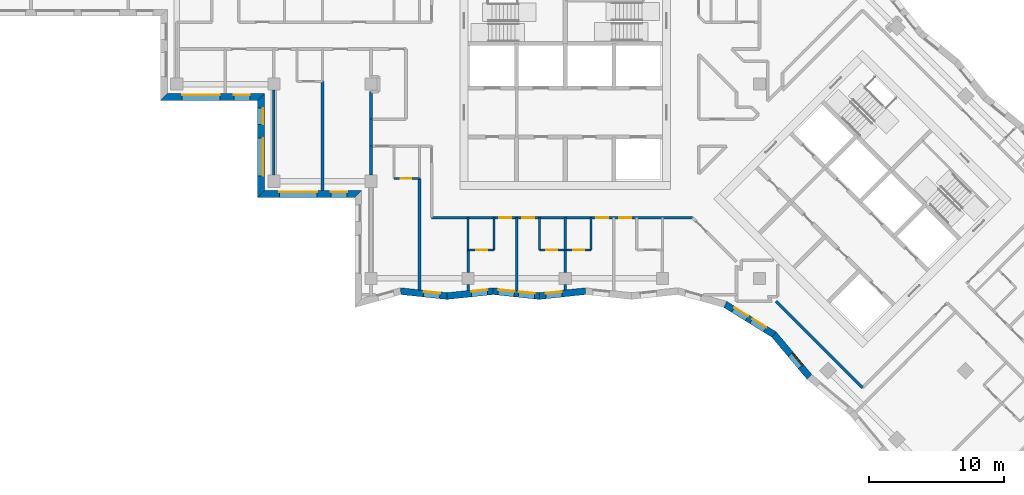
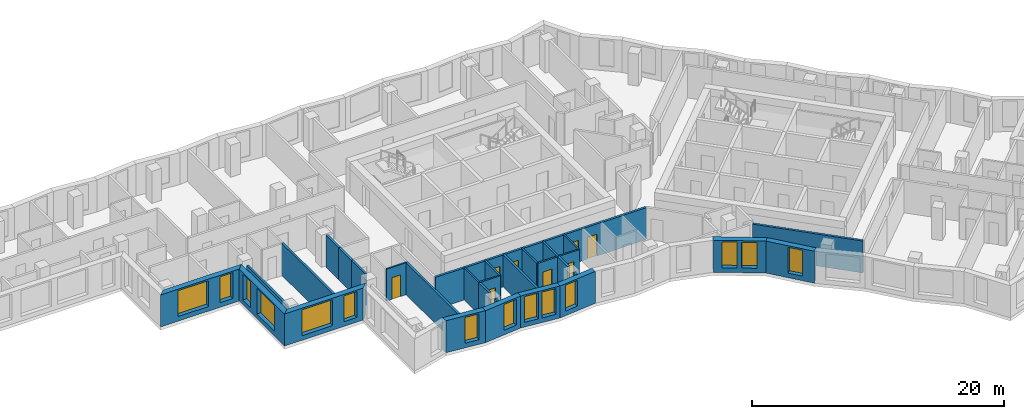
# One storey, part 2 of 12: 30 walls, 14 windows, 8 doors, 22 openings.
"""IFC4 building model written with IfcOpenShell, lengths in metres."""

import ifcopenshell
import ifcopenshell.guid

model = None  # the IFC model being written
_history = None  # IfcOwnerHistory: only IFC2X3 demands one
_inside = {}  # id of a spatial element -> (the spatial element, [elements in it])
_under = {}  # id of a project, library or spatial element -> (it, [spatial elements below it])
_declared = {}  # id of a project -> (the project, [libraries it declares])
_typed = {}  # id of a type object -> (the type object, [elements of that type])
_made_of = {}  # id of a material, layer set ... -> (it, [elements and type objects made of it])


def new_model(schema):
    """Start an empty IFC model of exactly this schema.

    Asked for "IFC4X3", IfcOpenShell would pick the latest addendum, in which some entities
    have other attributes; the version numbers below select the first issue.
    IFC2X3 requires an IfcOwnerHistory on every rooted entity: one is made here for all.
    """
    global model, _history
    if schema == "IFC4X3":
        model = ifcopenshell.file(schema_version=(4, 3, 0, 0))
    else:
        model = ifcopenshell.file(schema=schema)
    _inside.clear()
    _under.clear()
    _declared.clear()
    _typed.clear()
    _made_of.clear()
    _history = None
    if model.schema == "IFC2X3":
        org = make("IfcOrganization", Name="unknown")
        user = make(
            "IfcPersonAndOrganization",
            ThePerson=make("IfcPerson", FamilyName="unknown"),
            TheOrganization=org,
        )
        app = make(
            "IfcApplication",
            ApplicationDeveloper=org,
            Version="unknown",
            ApplicationFullName="unknown",
            ApplicationIdentifier="unknown",
        )
        _history = make(
            "IfcOwnerHistory",
            OwningUser=user,
            OwningApplication=app,
            ChangeAction="ADDED",
            CreationDate=0,
        )
    return model


def make(cls, **values):
    """One entity of the class cls with the attributes given. An attribute that is None is left unset."""
    return model.create_entity(
        cls, **{name: value for name, value in values.items() if value is not None}
    )


def rooted(cls, **values):
    """An entity with a GlobalId (a new one), such as an element, a storey or a relation."""
    return make(cls, GlobalId=ifcopenshell.guid.new(), OwnerHistory=_history, **values)


def si_unit(unit_type, name, prefix=None):
    """IfcSIUnit, for example si_unit("LENGTHUNIT", "METRE", prefix="MILLI")."""
    return make("IfcSIUnit", UnitType=unit_type, Prefix=prefix, Name=name)


def assignment(units):
    """IfcUnitAssignment: the units of a project."""
    return None if units is None else make("IfcUnitAssignment", Units=units)


def point(xyz):
    """IfcCartesianPoint."""
    return None if xyz is None else make("IfcCartesianPoint", Coordinates=xyz)


def direction(xyz):
    """IfcDirection."""
    return None if xyz is None else make("IfcDirection", DirectionRatios=xyz)


def frame(location, z_axis=None, x_axis=None):
    """IfcAxis2Placement3D, a coordinate frame: its origin and axes. An axis left out is left unset."""
    return make(
        "IfcAxis2Placement3D",
        Location=point(location),
        Axis=direction(z_axis),
        RefDirection=direction(x_axis),
    )


def frame_2d(location, x_axis=None):
    """IfcAxis2Placement2D, a coordinate frame in the plane: its origin and x axis."""
    return make(
        "IfcAxis2Placement2D", Location=point(location), RefDirection=direction(x_axis)
    )


def origin():
    """The frame at (0, 0, 0) with its axes left unset."""
    return frame((0.0, 0.0, 0.0))


def place(relative_to, where):
    """IfcLocalPlacement: puts the frame where relative to a parent placement (None: the world)."""
    return make(
        "IfcLocalPlacement", PlacementRelTo=relative_to, RelativePlacement=where
    )


def context(
    kind, dimensions, precision=None, world=None, true_north=None, identifier=None
):
    """IfcGeometricRepresentationContext, for example the 3D "Model" context."""
    return make(
        "IfcGeometricRepresentationContext",
        ContextIdentifier=identifier,
        ContextType=kind,
        CoordinateSpaceDimension=dimensions,
        Precision=precision,
        WorldCoordinateSystem=world,
        TrueNorth=true_north,
    )


def subcontext(parent, identifier, kind, view, scale=None):
    """IfcGeometricRepresentationSubContext, for example "Body" below "Model"."""
    return make(
        "IfcGeometricRepresentationSubContext",
        ContextIdentifier=identifier,
        ContextType=kind,
        ParentContext=parent,
        TargetScale=scale,
        TargetView=view,
    )


def project(units=None, contexts=None):
    """IfcProject with its units and contexts."""
    return rooted(
        "IfcProject",
        Name="project",
        RepresentationContexts=contexts,
        UnitsInContext=assignment(units),
    )


def spatial(cls, under=None, at=None, **own):
    """A site, building, storey or space (cls), placed at a placement, below another one or the project."""
    s = rooted(cls, ObjectPlacement=at, **own)
    if under is not None:
        _under.setdefault(under.id(), (under, []))[1].append(s)
    return s


def polyline(points):
    """IfcPolyline through the points."""
    return make("IfcPolyline", Points=[point(p) for p in points])


def profile(cls, at=None, kind="AREA", **sizes):
    """A parametric profile (cls). Its sizes go by their IFC names, for example OverallWidth=200.0."""
    return make(cls, ProfileType=kind, Position=at, **sizes)


def rectangle(**sizes):
    """IfcRectangleProfileDef."""
    return profile("IfcRectangleProfileDef", **sizes)


def outline(outer, holes=None, kind="AREA"):
    """IfcArbitraryClosedProfileDef: a profile drawn as a closed curve; with holes, ...WithVoids."""
    if holes is None:
        return make("IfcArbitraryClosedProfileDef", ProfileType=kind, OuterCurve=outer)
    return make(
        "IfcArbitraryProfileDefWithVoids",
        ProfileType=kind,
        OuterCurve=outer,
        InnerCurves=holes,
    )


def extrude(swept, where, along, depth):
    """IfcExtrudedAreaSolid: the profile swept, set in the frame where, extruded along a direction by depth."""
    return make(
        "IfcExtrudedAreaSolid",
        SweptArea=swept,
        Position=where,
        ExtrudedDirection=direction(along),
        Depth=depth,
    )


def shape(context_of_items, identifier, shape_type, items):
    """IfcShapeRepresentation: the items that make up one representation, for example the "Body"."""
    return make(
        "IfcShapeRepresentation",
        ContextOfItems=context_of_items,
        RepresentationIdentifier=identifier,
        RepresentationType=shape_type,
        Items=items,
    )


def material(Name=None, Category=None):
    """IfcMaterial."""
    return make("IfcMaterial", Name=Name, Category=Category)


def layer(
    of_material, thickness, ventilated=None, Name=None, Category=None, Priority=None
):
    """IfcMaterialLayer: one layer of a wall or slab, of a material (None: an air gap)."""
    return make(
        "IfcMaterialLayer",
        Material=of_material,
        LayerThickness=thickness,
        IsVentilated=ventilated,
        Name=Name,
        Category=Category,
        Priority=Priority,
    )


def layer_set(layers, Name=None):
    """IfcMaterialLayerSet."""
    return make("IfcMaterialLayerSet", MaterialLayers=layers, LayerSetName=Name)


def made_of(thing, what):
    """Note that an element or type object is made of a material, layer set ...; save() writes the relation."""
    if what is not None:
        _made_of.setdefault(what.id(), (what, []))[1].append(thing)
    return thing


def type_object(cls, material=None, **own):
    """A type object (cls), such as IfcWallType, which elements share."""
    return made_of(rooted(cls, **own), material)


def element(
    cls,
    number,
    at=None,
    inside=None,
    cuts=None,
    type_object=None,
    material=None,
    context=None,
    identifier="Body",
    shape_type=None,
    held_by="IfcProductDefinitionShape",
    body=None,
    shapes=None,
    **own,
):
    """One element of the class cls, such as IfcWall. Its Tag is "e" and its number.

    at: its placement. inside: the storey or other place that contains it. cuts: it is an
    opening in that element (IfcRelVoidsElement). A single representation is given by context,
    identifier, shape_type and body (its items); several are given by shapes. held_by: the class
    of the entity that holds the representations. save() writes the other relations.
    """
    e = rooted(cls, Tag="e%d" % number, ObjectPlacement=at, **own)
    if body is not None:
        shapes = [shape(context, identifier, shape_type, body)]
    if shapes is not None:
        e.Representation = make(held_by, Representations=shapes)
    if inside is not None:
        _inside.setdefault(inside.id(), (inside, []))[1].append(e)
    if cuts is not None:
        rooted(
            "IfcRelVoidsElement", RelatingBuildingElement=cuts, RelatedOpeningElement=e
        )
    if type_object is not None:
        _typed.setdefault(type_object.id(), (type_object, []))[1].append(e)
    return made_of(e, material)


def fill(opening, filler):
    """IfcRelFillsElement: the door or window that sits in an opening."""
    return rooted(
        "IfcRelFillsElement",
        RelatingOpeningElement=opening,
        RelatedBuildingElement=filler,
    )


def aggregate(whole, parts):
    """IfcRelAggregates: a whole, such as a stair, and the parts it consists of."""
    return rooted("IfcRelAggregates", RelatingObject=whole, RelatedObjects=parts)


def save(model, path):
    """Write the relations noted so far, then the file.

    IfcRelAggregates (storeys below a building ...), IfcRelContainedInSpatialStructure (elements
    in a storey), IfcRelDefinesByType, IfcRelAssociatesMaterial and IfcRelDeclares: one each for
    every whole, place, type object, material and project.
    """
    for whole, parts in _under.values():
        aggregate(whole, parts)
    for where, things in _inside.values():
        rooted(
            "IfcRelContainedInSpatialStructure",
            RelatedElements=things,
            RelatingStructure=where,
        )
    for kind, things in _typed.values():
        rooted("IfcRelDefinesByType", RelatedObjects=things, RelatingType=kind)
    for what, things in _made_of.values():
        rooted("IfcRelAssociatesMaterial", RelatedObjects=things, RelatingMaterial=what)
    for by, libraries in _declared.values():
        rooted("IfcRelDeclares", RelatingContext=by, RelatedDefinitions=libraries)
    model.write(path)


model = new_model("IFC4")

# Units and contexts
model_context = context("Model", 3, precision=1e-05, world=origin(), true_north=direction((0.0, 1.0)))
body_context = subcontext(model_context, "Body", "Model", "MODEL_VIEW")
ifc_project = project(units=[si_unit("LENGTHUNIT", "METRE"), si_unit("AREAUNIT", "SQUARE_METRE"), si_unit("VOLUMEUNIT", "CUBIC_METRE"), si_unit("PLANEANGLEUNIT", "RADIAN"), si_unit("MASSUNIT", "GRAM", prefix="KILO")], contexts=[model_context])

# Site, building, storey
site_placement = place(None, origin())
site = spatial("IfcSite", under=ifc_project, at=site_placement, CompositionType="ELEMENT")
building_placement = place(site_placement, origin())
building = spatial("IfcBuilding", under=site, at=building_placement, Name="Windrow Commons", CompositionType="ELEMENT")
storey_placement = place(building_placement, frame((0.0, 0.0, 142.2)))
storey = spatial("IfcBuildingStorey", under=building, at=storey_placement, Name="L38", CompositionType="ELEMENT", Elevation=142.2)

# Wall, openings, windows
ifc_material_1 = material(Name="Brick masonry, red clay brick", Category="masonry")
ifc_layer_1 = layer(ifc_material_1, 0.5)
ifc_layer_set_1 = layer_set([ifc_layer_1], Name="Brick facade wall 500")
wall_type_1 = type_object("IfcWallType", Name="Brick facade wall 500", PredefinedType="SOLIDWALL", material=ifc_layer_set_1)
wall_1_placement = place(storey_placement, frame((35.05, 56.65, 0.0), z_axis=(0.0, 0.0, 1.0), x_axis=(1.0, 0.0, 0.0)))
wall_1 = element("IfcWall", 1, at=wall_1_placement, inside=storey, type_object=wall_type_1, Name="Brick facade wall L38 38", PredefinedType="SOLIDWALL", context=body_context, shape_type="SweptSolid", body=[
    extrude(outline(polyline([(-0.25, -0.25), (6.95, -0.25), (7.45, 0.25), (0.25, 0.25), (-0.25, -0.25)])), origin(), (0.0, 0.0, 1.0), 3.1),
])
opening_1_placement = place(wall_1_placement, frame((1.35, 0.0, 0.45)))
opening_1 = element("IfcOpeningElement", 2, at=opening_1_placement, cuts=wall_1, Name="Opening W1U", PredefinedType="OPENING", context=body_context, shape_type="SweptSolid", body=[
    extrude(rectangle(XDim=2.8, YDim=2.5, at=frame_2d((1.4, 1.25))), frame((0.0, 0.26, 0.0), z_axis=(0.0, -1.0, 0.0), x_axis=(1.0, 0.0, 0.0)), (0.0, 0.0, 1.0), 0.52),
])
opening_2_placement = place(wall_1_placement, frame((5.175, 0.0, 0.45)))
opening_2 = element("IfcOpeningElement", 3, at=opening_2_placement, cuts=wall_1, Name="Opening W7E", PredefinedType="OPENING", context=body_context, shape_type="SweptSolid", body=[
    extrude(rectangle(XDim=1.2, YDim=2.5, at=frame_2d((0.6, 1.25))), frame((0.0, 0.26, 0.0), z_axis=(0.0, -1.0, 0.0), x_axis=(1.0, 0.0, 0.0)), (0.0, 0.0, 1.0), 0.52),
])
ifc_material_2 = material(Name="Clear float glass in anodised aluminium frame", Category="aluminium")
window_type_1 = type_object("IfcWindowType", Name="Window W1U bedroom 2800x2500", PartitioningType="SINGLE_PANEL", PredefinedType="WINDOW", material=ifc_material_2)
window_1_placement = place(opening_1_placement, origin())
window_1 = element("IfcWindow", 4, at=window_1_placement, inside=storey, type_object=window_type_1, Name="Window L38 38.1", OverallHeight=2.5, OverallWidth=2.8, PartitioningType="SINGLE_PANEL", PredefinedType="WINDOW", context=body_context, shape_type="SweptSolid", body=[
    extrude(rectangle(XDim=2.8, YDim=2.5, at=frame_2d((1.4, 1.25))), frame((0.0, 0.18, 0.0), z_axis=(0.0, -1.0, 0.0), x_axis=(1.0, 0.0, 0.0)), (0.0, 0.0, 1.0), 0.06),
])
fill(opening_1, window_1)
ifc_material_3 = material(Name="Clear float glass in anodised aluminium frame", Category="aluminium")
window_type_2 = type_object("IfcWindowType", Name="Window W7 notch 1200x2500", PartitioningType="SINGLE_PANEL", PredefinedType="WINDOW", material=ifc_material_3)
window_2_placement = place(opening_2_placement, origin())
window_2 = element("IfcWindow", 5, at=window_2_placement, inside=storey, type_object=window_type_2, Name="Window L38 38.2", OverallHeight=2.5, OverallWidth=1.2, PartitioningType="SINGLE_PANEL", PredefinedType="WINDOW", context=body_context, shape_type="SweptSolid", body=[
    extrude(rectangle(XDim=1.2, YDim=2.5, at=frame_2d((0.6, 1.25))), frame((0.0, 0.18, 0.0), z_axis=(0.0, -1.0, 0.0), x_axis=(1.0, 0.0, 0.0)), (0.0, 0.0, 1.0), 0.06),
])
fill(opening_2, window_2)

wall_2_placement = place(storey_placement, frame((42.25, 56.65, 0.0), z_axis=(0.0, 0.0, 1.0), x_axis=(0.0, -1.0, 0.0)))
wall_2 = element("IfcWall", 6, at=wall_2_placement, inside=storey, type_object=wall_type_1, Name="Brick facade wall L38 39", PredefinedType="SOLIDWALL", context=body_context, shape_type="SweptSolid", body=[
    extrude(outline(polyline([(0.25, -0.25), (7.45, -0.25), (6.95, 0.25), (-0.25, 0.25), (0.25, -0.25)])), origin(), (0.0, 0.0, 1.0), 3.1),
])
opening_3_placement = place(wall_2_placement, frame((3.05, 0.0, 0.45)))
opening_3 = element("IfcOpeningElement", 7, at=opening_3_placement, cuts=wall_2, Name="Opening W1U", PredefinedType="OPENING", context=body_context, shape_type="SweptSolid", body=[
    extrude(rectangle(XDim=2.8, YDim=2.5, at=frame_2d((1.4, 1.25))), frame((0.0, 0.26, 0.0), z_axis=(0.0, -1.0, 0.0), x_axis=(1.0, 0.0, 0.0)), (0.0, 0.0, 1.0), 0.52),
])
opening_4_placement = place(wall_2_placement, frame((0.825, 0.0, 0.45)))
opening_4 = element("IfcOpeningElement", 8, at=opening_4_placement, cuts=wall_2, Name="Opening W7E", PredefinedType="OPENING", context=body_context, shape_type="SweptSolid", body=[
    extrude(rectangle(XDim=1.2, YDim=2.5, at=frame_2d((0.6, 1.25))), frame((0.0, 0.26, 0.0), z_axis=(0.0, -1.0, 0.0), x_axis=(1.0, 0.0, 0.0)), (0.0, 0.0, 1.0), 0.52),
])
window_3_placement = place(opening_3_placement, origin())
window_3 = element("IfcWindow", 9, at=window_3_placement, inside=storey, type_object=window_type_1, Name="Window L38 39.1", OverallHeight=2.5, OverallWidth=2.8, PartitioningType="SINGLE_PANEL", PredefinedType="WINDOW", context=body_context, shape_type="SweptSolid", body=[
    extrude(rectangle(XDim=2.8, YDim=2.5, at=frame_2d((1.4, 1.25))), frame((0.0, 0.18, 0.0), z_axis=(0.0, -1.0, 0.0), x_axis=(1.0, 0.0, 0.0)), (0.0, 0.0, 1.0), 0.06),
])
fill(opening_3, window_3)
window_4_placement = place(opening_4_placement, origin())
window_4 = element("IfcWindow", 10, at=window_4_placement, inside=storey, type_object=window_type_2, Name="Window L38 39.2", OverallHeight=2.5, OverallWidth=1.2, PartitioningType="SINGLE_PANEL", PredefinedType="WINDOW", context=body_context, shape_type="SweptSolid", body=[
    extrude(rectangle(XDim=1.2, YDim=2.5, at=frame_2d((0.6, 1.25))), frame((0.0, 0.18, 0.0), z_axis=(0.0, -1.0, 0.0), x_axis=(1.0, 0.0, 0.0)), (0.0, 0.0, 1.0), 0.06),
])
fill(opening_4, window_4)

wall_3_placement = place(storey_placement, frame((42.25, 49.45, 0.0), z_axis=(0.0, 0.0, 1.0), x_axis=(1.0, 0.0, 0.0)))
wall_3 = element("IfcWall", 11, at=wall_3_placement, inside=storey, type_object=wall_type_1, Name="Brick facade wall L38 40", PredefinedType="SOLIDWALL", context=body_context, shape_type="SweptSolid", body=[
    extrude(outline(polyline([(-0.25, -0.25), (6.95, -0.25), (7.45, 0.25), (0.25, 0.25), (-0.25, -0.25)])), origin(), (0.0, 0.0, 1.0), 3.1),
])
opening_5_placement = place(wall_3_placement, frame((1.35, 0.0, 0.45)))
opening_5 = element("IfcOpeningElement", 12, at=opening_5_placement, cuts=wall_3, Name="Opening W1U", PredefinedType="OPENING", context=body_context, shape_type="SweptSolid", body=[
    extrude(rectangle(XDim=2.8, YDim=2.5, at=frame_2d((1.4, 1.25))), frame((0.0, 0.26, 0.0), z_axis=(0.0, -1.0, 0.0), x_axis=(1.0, 0.0, 0.0)), (0.0, 0.0, 1.0), 0.52),
])
opening_6_placement = place(wall_3_placement, frame((5.175, 0.0, 0.45)))
opening_6 = element("IfcOpeningElement", 13, at=opening_6_placement, cuts=wall_3, Name="Opening W7E", PredefinedType="OPENING", context=body_context, shape_type="SweptSolid", body=[
    extrude(rectangle(XDim=1.2, YDim=2.5, at=frame_2d((0.6, 1.25))), frame((0.0, 0.26, 0.0), z_axis=(0.0, -1.0, 0.0), x_axis=(1.0, 0.0, 0.0)), (0.0, 0.0, 1.0), 0.52),
])
window_5_placement = place(opening_5_placement, origin())
window_5 = element("IfcWindow", 14, at=window_5_placement, inside=storey, type_object=window_type_1, Name="Window L38 40.1", OverallHeight=2.5, OverallWidth=2.8, PartitioningType="SINGLE_PANEL", PredefinedType="WINDOW", context=body_context, shape_type="SweptSolid", body=[
    extrude(rectangle(XDim=2.8, YDim=2.5, at=frame_2d((1.4, 1.25))), frame((0.0, 0.18, 0.0), z_axis=(0.0, -1.0, 0.0), x_axis=(1.0, 0.0, 0.0)), (0.0, 0.0, 1.0), 0.06),
])
fill(opening_5, window_5)
window_6_placement = place(opening_6_placement, origin())
window_6 = element("IfcWindow", 15, at=window_6_placement, inside=storey, type_object=window_type_2, Name="Window L38 40.2", OverallHeight=2.5, OverallWidth=1.2, PartitioningType="SINGLE_PANEL", PredefinedType="WINDOW", context=body_context, shape_type="SweptSolid", body=[
    extrude(rectangle(XDim=1.2, YDim=2.5, at=frame_2d((0.6, 1.25))), frame((0.0, 0.18, 0.0), z_axis=(0.0, -1.0, 0.0), x_axis=(1.0, 0.0, 0.0)), (0.0, 0.0, 1.0), 0.06),
])
fill(opening_6, window_6)

# Wall, opening, window
wall_4_placement = place(storey_placement, frame((52.5983, 42.2537, 0.0), z_axis=(0.0, 0.0, 1.0), x_axis=(0.9944732608, -0.1049901591, 0.0)))
wall_4 = element("IfcWall", 16, at=wall_4_placement, inside=storey, type_object=wall_type_1, Name="Brick facade wall L38 43", PredefinedType="SOLIDWALL", context=body_context, shape_type="SweptSolid", body=[
    extrude(outline(polyline([(0.048, -0.25), (3.4867, -0.25), (3.4339, 0.25), (-0.048, 0.25), (0.048, -0.25)])), origin(), (0.0, 0.0, 1.0), 3.1),
])
opening_7_placement = place(wall_4_placement, frame((1.7217, 0.0, 0.45)))
opening_7 = element("IfcOpeningElement", 17, at=opening_7_placement, cuts=wall_4, Name="Opening W7E", PredefinedType="OPENING", context=body_context, shape_type="SweptSolid", body=[
    extrude(rectangle(XDim=1.2, YDim=2.5, at=frame_2d((0.6, 1.25))), frame((0.0, 0.26, 0.0), z_axis=(0.0, -1.0, 0.0), x_axis=(1.0, 0.0, 0.0)), (0.0, 0.0, 1.0), 0.52),
])
window_7_placement = place(opening_7_placement, origin())
window_7 = element("IfcWindow", 18, at=window_7_placement, inside=storey, type_object=window_type_2, Name="Window L38 43.1", OverallHeight=2.5, OverallWidth=1.2, PartitioningType="SINGLE_PANEL", PredefinedType="WINDOW", context=body_context, shape_type="SweptSolid", body=[
    extrude(rectangle(XDim=1.2, YDim=2.5, at=frame_2d((0.6, 1.25))), frame((0.0, 0.18, 0.0), z_axis=(0.0, -1.0, 0.0), x_axis=(1.0, 0.0, 0.0)), (0.0, 0.0, 1.0), 0.06),
])
fill(opening_7, window_7)

wall_5_placement = place(storey_placement, frame((56.0395, 41.8904, 0.0), z_axis=(0.0, 0.0, 1.0), x_axis=(0.9944741767, 0.1049814831, 0.0)))
wall_5 = element("IfcWall", 19, at=wall_5_placement, inside=storey, type_object=wall_type_1, Name="Brick facade wall L38 44", PredefinedType="SOLIDWALL", context=body_context, shape_type="SweptSolid", body=[
    extrude(outline(polyline([(-0.0264, -0.25), (3.4123, -0.25), (3.4651, 0.25), (0.0264, 0.25), (-0.0264, -0.25)])), origin(), (0.0, 0.0, 1.0), 3.1),
])
opening_8_placement = place(wall_5_placement, frame((1.804, 0.0, 0.45)))
opening_8 = element("IfcOpeningElement", 20, at=opening_8_placement, cuts=wall_5, Name="Opening W7E", PredefinedType="OPENING", context=body_context, shape_type="SweptSolid", body=[
    extrude(rectangle(XDim=1.2, YDim=2.5, at=frame_2d((0.6, 1.25))), frame((0.0, 0.26, 0.0), z_axis=(0.0, -1.0, 0.0), x_axis=(1.0, 0.0, 0.0)), (0.0, 0.0, 1.0), 0.52),
])
window_8_placement = place(opening_8_placement, origin())
window_8 = element("IfcWindow", 21, at=window_8_placement, inside=storey, type_object=window_type_2, Name="Window L38 44.1", OverallHeight=2.5, OverallWidth=1.2, PartitioningType="SINGLE_PANEL", PredefinedType="WINDOW", context=body_context, shape_type="SweptSolid", body=[
    extrude(rectangle(XDim=1.2, YDim=2.5, at=frame_2d((0.6, 1.25))), frame((0.0, 0.18, 0.0), z_axis=(0.0, -1.0, 0.0), x_axis=(1.0, 0.0, 0.0)), (0.0, 0.0, 1.0), 0.06),
])
fill(opening_8, window_8)

# Wall, openings, windows
wall_6_placement = place(storey_placement, frame((59.4592, 42.2514, 0.0), z_axis=(0.0, 0.0, 1.0), x_axis=(0.9944741767, -0.1049814831, 0.0)))
wall_6 = element("IfcWall", 22, at=wall_6_placement, inside=storey, type_object=wall_type_1, Name="Brick facade wall L38 45", PredefinedType="SOLIDWALL", context=body_context, shape_type="SweptSolid", body=[
    extrude(outline(polyline([(0.0264, -0.25), (3.4651, -0.25), (3.4123, 0.25), (-0.0264, 0.25), (0.0264, -0.25)])), origin(), (0.0, 0.0, 1.0), 3.1),
])
opening_9_placement = place(wall_6_placement, frame((0.3752, 0.0, 0.45)))
opening_9 = element("IfcOpeningElement", 23, at=opening_9_placement, cuts=wall_6, Name="Opening W7E", PredefinedType="OPENING", context=body_context, shape_type="SweptSolid", body=[
    extrude(rectangle(XDim=1.2, YDim=2.5, at=frame_2d((0.6, 1.25))), frame((0.0, 0.26, 0.0), z_axis=(0.0, -1.0, 0.0), x_axis=(1.0, 0.0, 0.0)), (0.0, 0.0, 1.0), 0.52),
])
opening_10_placement = place(wall_6_placement, frame((1.8814, 0.0, 0.45)))
opening_10 = element("IfcOpeningElement", 24, at=opening_10_placement, cuts=wall_6, Name="Opening W7E", PredefinedType="OPENING", context=body_context, shape_type="SweptSolid", body=[
    extrude(rectangle(XDim=1.2, YDim=2.5, at=frame_2d((0.6, 1.25))), frame((0.0, 0.26, 0.0), z_axis=(0.0, -1.0, 0.0), x_axis=(1.0, 0.0, 0.0)), (0.0, 0.0, 1.0), 0.52),
])
window_9_placement = place(opening_9_placement, origin())
window_9 = element("IfcWindow", 25, at=window_9_placement, inside=storey, type_object=window_type_2, Name="Window L38 45.1", OverallHeight=2.5, OverallWidth=1.2, PartitioningType="SINGLE_PANEL", PredefinedType="WINDOW", context=body_context, shape_type="SweptSolid", body=[
    extrude(rectangle(XDim=1.2, YDim=2.5, at=frame_2d((0.6, 1.25))), frame((0.0, 0.18, 0.0), z_axis=(0.0, -1.0, 0.0), x_axis=(1.0, 0.0, 0.0)), (0.0, 0.0, 1.0), 0.06),
])
fill(opening_9, window_9)
window_10_placement = place(opening_10_placement, origin())
window_10 = element("IfcWindow", 26, at=window_10_placement, inside=storey, type_object=window_type_2, Name="Window L38 45.2", OverallHeight=2.5, OverallWidth=1.2, PartitioningType="SINGLE_PANEL", PredefinedType="WINDOW", context=body_context, shape_type="SweptSolid", body=[
    extrude(rectangle(XDim=1.2, YDim=2.5, at=frame_2d((0.6, 1.25))), frame((0.0, 0.18, 0.0), z_axis=(0.0, -1.0, 0.0), x_axis=(1.0, 0.0, 0.0)), (0.0, 0.0, 1.0), 0.06),
])
fill(opening_10, window_10)

# Wall, opening, window
wall_7_placement = place(storey_placement, frame((62.8789, 41.8904, 0.0), z_axis=(0.0, 0.0, 1.0), x_axis=(0.9944744972, 0.1049784471, 0.0)))
wall_7 = element("IfcWall", 27, at=wall_7_placement, inside=storey, type_object=wall_type_1, Name="Brick facade wall L38 46", PredefinedType="SOLIDWALL", context=body_context, shape_type="SweptSolid", body=[
    extrude(outline(polyline([(-0.0264, -0.25), (3.4123, -0.25), (3.4651, 0.25), (0.0264, 0.25), (-0.0264, -0.25)])), origin(), (0.0, 0.0, 1.0), 3.1),
])
opening_11_placement = place(wall_7_placement, frame((0.4791, 0.0, 0.45)))
opening_11 = element("IfcOpeningElement", 28, at=opening_11_placement, cuts=wall_7, Name="Opening W7E", PredefinedType="OPENING", context=body_context, shape_type="SweptSolid", body=[
    extrude(rectangle(XDim=1.2, YDim=2.5, at=frame_2d((0.6, 1.25))), frame((0.0, 0.26, 0.0), z_axis=(0.0, -1.0, 0.0), x_axis=(1.0, 0.0, 0.0)), (0.0, 0.0, 1.0), 0.52),
])
window_11_placement = place(opening_11_placement, origin())
window_11 = element("IfcWindow", 29, at=window_11_placement, inside=storey, type_object=window_type_2, Name="Window L38 46.1", OverallHeight=2.5, OverallWidth=1.2, PartitioningType="SINGLE_PANEL", PredefinedType="WINDOW", context=body_context, shape_type="SweptSolid", body=[
    extrude(rectangle(XDim=1.2, YDim=2.5, at=frame_2d((0.6, 1.25))), frame((0.0, 0.18, 0.0), z_axis=(0.0, -1.0, 0.0), x_axis=(1.0, 0.0, 0.0)), (0.0, 0.0, 1.0), 0.06),
])
fill(opening_11, window_11)

# Wall, openings, windows
wall_8_placement = place(storey_placement, frame((76.6593, 41.2702, 0.0), z_axis=(0.0, 0.0, 1.0), x_axis=(0.8508843037, -0.5253531209, 0.0)))
wall_8 = element("IfcWall", 30, at=wall_8_placement, inside=storey, type_object=wall_type_1, Name="Brick facade wall L38 50", PredefinedType="SOLIDWALL", context=body_context, shape_type="SweptSolid", body=[
    extrude(outline(polyline([(0.0351, -0.25), (4.2098, -0.25), (4.2908, 0.25), (-0.0351, 0.25), (0.0351, -0.25)])), origin(), (0.0, 0.0, 1.0), 3.1),
])
opening_12_placement = place(wall_8_placement, frame((0.7066, 0.0, 0.45)))
opening_12 = element("IfcOpeningElement", 31, at=opening_12_placement, cuts=wall_8, Name="Opening W7E", PredefinedType="OPENING", context=body_context, shape_type="SweptSolid", body=[
    extrude(rectangle(XDim=1.2, YDim=2.5, at=frame_2d((0.6, 1.25))), frame((0.0, 0.26, 0.0), z_axis=(0.0, -1.0, 0.0), x_axis=(1.0, 0.0, 0.0)), (0.0, 0.0, 1.0), 0.52),
])
opening_13_placement = place(wall_8_placement, frame((2.2818, 0.0, 0.45)))
opening_13 = element("IfcOpeningElement", 32, at=opening_13_placement, cuts=wall_8, Name="Opening W7E", PredefinedType="OPENING", context=body_context, shape_type="SweptSolid", body=[
    extrude(rectangle(XDim=1.2, YDim=2.5, at=frame_2d((0.6, 1.25))), frame((0.0, 0.26, 0.0), z_axis=(0.0, -1.0, 0.0), x_axis=(1.0, 0.0, 0.0)), (0.0, 0.0, 1.0), 0.52),
])
window_12_placement = place(opening_12_placement, origin())
window_12 = element("IfcWindow", 33, at=window_12_placement, inside=storey, type_object=window_type_2, Name="Window L38 50.1", OverallHeight=2.5, OverallWidth=1.2, PartitioningType="SINGLE_PANEL", PredefinedType="WINDOW", context=body_context, shape_type="SweptSolid", body=[
    extrude(rectangle(XDim=1.2, YDim=2.5, at=frame_2d((0.6, 1.25))), frame((0.0, 0.18, 0.0), z_axis=(0.0, -1.0, 0.0), x_axis=(1.0, 0.0, 0.0)), (0.0, 0.0, 1.0), 0.06),
])
fill(opening_12, window_12)
window_13_placement = place(opening_13_placement, origin())
window_13 = element("IfcWindow", 34, at=window_13_placement, inside=storey, type_object=window_type_2, Name="Window L38 50.2", OverallHeight=2.5, OverallWidth=1.2, PartitioningType="SINGLE_PANEL", PredefinedType="WINDOW", context=body_context, shape_type="SweptSolid", body=[
    extrude(rectangle(XDim=1.2, YDim=2.5, at=frame_2d((0.6, 1.25))), frame((0.0, 0.18, 0.0), z_axis=(0.0, -1.0, 0.0), x_axis=(1.0, 0.0, 0.0)), (0.0, 0.0, 1.0), 0.06),
])
fill(opening_13, window_13)

# Wall, opening, window
wall_9_placement = place(storey_placement, frame((80.2758, 39.0373, 0.0), z_axis=(0.0, 0.0, 1.0), x_axis=(0.6417604293, -0.7669051776, 0.0)))
wall_9 = element("IfcWall", 35, at=wall_9_placement, inside=storey, type_object=wall_type_1, Name="Brick facade wall L38 51", PredefinedType="SOLIDWALL", context=body_context, shape_type="SweptSolid", body=[
    extrude(outline(polyline([(0.0405, -0.25), (4.1191, -0.25), (4.0746, 0.25), (-0.0405, 0.25), (0.0405, -0.25)])), origin(), (0.0, 0.0, 1.0), 3.1),
])
opening_14_placement = place(wall_9_placement, frame((1.9051, 0.0, 0.45)))
opening_14 = element("IfcOpeningElement", 36, at=opening_14_placement, cuts=wall_9, Name="Opening W7E", PredefinedType="OPENING", context=body_context, shape_type="SweptSolid", body=[
    extrude(rectangle(XDim=1.2, YDim=2.5, at=frame_2d((0.6, 1.25))), frame((0.0, 0.26, 0.0), z_axis=(0.0, -1.0, 0.0), x_axis=(1.0, 0.0, 0.0)), (0.0, 0.0, 1.0), 0.52),
])
window_14_placement = place(opening_14_placement, origin())
window_14 = element("IfcWindow", 37, at=window_14_placement, inside=storey, type_object=window_type_2, Name="Window L38 51.1", OverallHeight=2.5, OverallWidth=1.2, PartitioningType="SINGLE_PANEL", PredefinedType="WINDOW", context=body_context, shape_type="SweptSolid", body=[
    extrude(rectangle(XDim=1.2, YDim=2.5, at=frame_2d((0.6, 1.25))), frame((0.0, 0.18, 0.0), z_axis=(0.0, -1.0, 0.0), x_axis=(1.0, 0.0, 0.0)), (0.0, 0.0, 1.0), 0.06),
])
fill(opening_14, window_14)

# Wall, openings, doors
ifc_material_4 = material(Name="Blockwork partition", Category="masonry")
ifc_layer_2 = layer(ifc_material_4, 0.2)
ifc_layer_set_2 = layer_set([ifc_layer_2], Name="IW-CORRIDOR-200")
wall_type_2 = type_object("IfcWallType", Name="IW-CORRIDOR-200", PredefinedType="PARTITIONING", material=ifc_layer_set_2)
wall_10_placement = place(storey_placement, frame((54.9, 47.7, 0.0), z_axis=(0.0, 0.0, 1.0), x_axis=(1.0, 0.0, 0.0)))
wall_10 = element("IfcWall", 38, at=wall_10_placement, inside=storey, type_object=wall_type_2, Name="W-L38-W001", PredefinedType="PARTITIONING", context=body_context, shape_type="SweptSolid", body=[
    extrude(rectangle(XDim=19.326, YDim=0.2, at=frame_2d((9.663, 0.0))), origin(), (0.0, 0.0, 1.0), 3.1),
])
opening_15_placement = place(wall_10_placement, frame((5.0, 0.0, 0.0)))
opening_15 = element("IfcOpeningElement", 39, at=opening_15_placement, cuts=wall_10, Name="Opening D109S", PredefinedType="OPENING", context=body_context, shape_type="SweptSolid", body=[
    extrude(rectangle(XDim=0.9, YDim=2.1, at=frame_2d((0.45, 1.05))), frame((0.0, 0.11, 0.0), z_axis=(0.0, -1.0, 0.0), x_axis=(1.0, 0.0, 0.0)), (0.0, 0.0, 1.0), 0.22),
])
opening_16_placement = place(wall_10_placement, frame((12.2, 0.0, 0.0)))
opening_16 = element("IfcOpeningElement", 40, at=opening_16_placement, cuts=wall_10, Name="Opening D109S", PredefinedType="OPENING", context=body_context, shape_type="SweptSolid", body=[
    extrude(rectangle(XDim=0.9, YDim=2.1, at=frame_2d((0.45, 1.05))), frame((0.0, 0.11, 0.0), z_axis=(0.0, -1.0, 0.0), x_axis=(1.0, 0.0, 0.0)), (0.0, 0.0, 1.0), 0.22),
])
opening_17_placement = place(wall_10_placement, frame((6.7, 0.0, 0.0)))
opening_17 = element("IfcOpeningElement", 41, at=opening_17_placement, cuts=wall_10, Name="Opening D109S", PredefinedType="OPENING", context=body_context, shape_type="SweptSolid", body=[
    extrude(rectangle(XDim=0.9, YDim=2.1, at=frame_2d((0.45, 1.05))), frame((0.0, 0.11, 0.0), z_axis=(0.0, -1.0, 0.0), x_axis=(1.0, 0.0, 0.0)), (0.0, 0.0, 1.0), 0.22),
])
opening_18_placement = place(wall_10_placement, frame((13.9, 0.0, 0.0)))
opening_18 = element("IfcOpeningElement", 42, at=opening_18_placement, cuts=wall_10, Name="Opening D109S", PredefinedType="OPENING", context=body_context, shape_type="SweptSolid", body=[
    extrude(rectangle(XDim=0.9, YDim=2.1, at=frame_2d((0.45, 1.05))), frame((0.0, 0.11, 0.0), z_axis=(0.0, -1.0, 0.0), x_axis=(1.0, 0.0, 0.0)), (0.0, 0.0, 1.0), 0.22),
])
ifc_material_5 = material(Name="Timber door leaf", Category="wood")
door_type_1 = type_object("IfcDoorType", Name="DT-BEDROOM-900", OperationType="SINGLE_SWING_LEFT", PredefinedType="DOOR", material=ifc_material_5)
door_1_placement = place(opening_15_placement, origin())
door_1 = element("IfcDoor", 43, at=door_1_placement, inside=storey, type_object=door_type_1, Name="D-L38-D027", OperationType="SINGLE_SWING_LEFT", OverallHeight=2.1, OverallWidth=0.9, PredefinedType="DOOR", context=body_context, shape_type="SweptSolid", body=[
    extrude(rectangle(XDim=0.9, YDim=2.1, at=frame_2d((0.45, 1.05))), frame((0.0, 0.025, 0.0), z_axis=(0.0, -1.0, 0.0), x_axis=(1.0, 0.0, 0.0)), (0.0, 0.0, 1.0), 0.05),
])
fill(opening_15, door_1)
door_2_placement = place(opening_16_placement, origin())
door_2 = element("IfcDoor", 44, at=door_2_placement, inside=storey, type_object=door_type_1, Name="D-L38-D029", OperationType="SINGLE_SWING_LEFT", OverallHeight=2.1, OverallWidth=0.9, PredefinedType="DOOR", context=body_context, shape_type="SweptSolid", body=[
    extrude(rectangle(XDim=0.9, YDim=2.1, at=frame_2d((0.45, 1.05))), frame((0.0, 0.025, 0.0), z_axis=(0.0, -1.0, 0.0), x_axis=(1.0, 0.0, 0.0)), (0.0, 0.0, 1.0), 0.05),
])
fill(opening_16, door_2)
door_3_placement = place(opening_17_placement, origin())
door_3 = element("IfcDoor", 45, at=door_3_placement, inside=storey, type_object=door_type_1, Name="D-L38-D033", OperationType="SINGLE_SWING_RIGHT", OverallHeight=2.1, OverallWidth=0.9, PredefinedType="DOOR", context=body_context, shape_type="SweptSolid", body=[
    extrude(rectangle(XDim=0.9, YDim=2.1, at=frame_2d((0.45, 1.05))), frame((0.0, 0.025, 0.0), z_axis=(0.0, -1.0, 0.0), x_axis=(1.0, 0.0, 0.0)), (0.0, 0.0, 1.0), 0.05),
])
fill(opening_17, door_3)
door_4_placement = place(opening_18_placement, origin())
door_4 = element("IfcDoor", 46, at=door_4_placement, inside=storey, type_object=door_type_1, Name="D-L38-D035", OperationType="SINGLE_SWING_RIGHT", OverallHeight=2.1, OverallWidth=0.9, PredefinedType="DOOR", context=body_context, shape_type="SweptSolid", body=[
    extrude(rectangle(XDim=0.9, YDim=2.1, at=frame_2d((0.45, 1.05))), frame((0.0, 0.025, 0.0), z_axis=(0.0, -1.0, 0.0), x_axis=(1.0, 0.0, 0.0)), (0.0, 0.0, 1.0), 0.05),
])
fill(opening_18, door_4)

# Walls
wall_11_placement = place(storey_placement, frame((80.4227, 41.4967, 0.0), z_axis=(0.0, 0.0, 1.0), x_axis=(0.7071067812, -0.7071067812, 0.0)))
element("IfcWall", 47, at=wall_11_placement, inside=storey, type_object=wall_type_2, Name="W-L38-W008", PredefinedType="PARTITIONING", context=body_context, shape_type="SweptSolid", body=[
    extrude(rectangle(XDim=9.0651, YDim=0.2, at=frame_2d((4.5325, 0.0))), origin(), (0.0, 0.0, 1.0), 3.1),
])
wall_12_placement = place(storey_placement, frame((50.4, 53.0, 0.0), z_axis=(0.0, 0.0, 1.0), x_axis=(0.0, 1.0, 0.0)))
element("IfcWall", 48, at=wall_12_placement, inside=storey, type_object=wall_type_2, Name="W-L38-W110", PredefinedType="PARTITIONING", context=body_context, shape_type="SweptSolid", body=[
    extrude(rectangle(XDim=2.0, YDim=0.2, at=frame_2d((1.0, 0.0))), origin(), (0.0, 0.0, 1.0), 3.1),
])

# Wall, openings, doors
ifc_material_6 = material(Name="Blockwork partition", Category="masonry")
ifc_layer_3 = layer(ifc_material_6, 0.15)
ifc_layer_set_3 = layer_set([ifc_layer_3], Name="IW-ENSUITE-150")
wall_type_3 = type_object("IfcWallType", Name="IW-ENSUITE-150", PredefinedType="PARTITIONING", material=ifc_layer_set_3)
wall_13_placement = place(storey_placement, frame((62.9, 45.3, 0.0), z_axis=(0.0, 0.0, 1.0), x_axis=(1.0, 0.0, 0.0)))
wall_13 = element("IfcWall", 49, at=wall_13_placement, inside=storey, type_object=wall_type_3, Name="W-L38-W046", PredefinedType="PARTITIONING", context=body_context, shape_type="SweptSolid", body=[
    extrude(rectangle(XDim=3.8, YDim=0.15, at=frame_2d((1.9, 0.0))), origin(), (0.0, 0.0, 1.0), 3.1),
])
opening_19_placement = place(wall_13_placement, frame((2.5069, 0.0, 0.0)))
opening_19 = element("IfcOpeningElement", 50, at=opening_19_placement, cuts=wall_13, Name="Opening D208N", PredefinedType="OPENING", context=body_context, shape_type="SweptSolid", body=[
    extrude(rectangle(XDim=0.8, YDim=2.1, at=frame_2d((0.4, 1.05))), frame((0.0, 0.085, 0.0), z_axis=(0.0, -1.0, 0.0), x_axis=(1.0, 0.0, 0.0)), (0.0, 0.0, 1.0), 0.17),
])
opening_20_placement = place(wall_13_placement, frame((0.4931, 0.0, 0.0)))
opening_20 = element("IfcOpeningElement", 51, at=opening_20_placement, cuts=wall_13, Name="Opening D208N", PredefinedType="OPENING", context=body_context, shape_type="SweptSolid", body=[
    extrude(rectangle(XDim=0.8, YDim=2.1, at=frame_2d((0.4, 1.05))), frame((0.0, 0.085, 0.0), z_axis=(0.0, -1.0, 0.0), x_axis=(1.0, 0.0, 0.0)), (0.0, 0.0, 1.0), 0.17),
])
ifc_material_7 = material(Name="Timber door leaf", Category="wood")
door_type_2 = type_object("IfcDoorType", Name="DT-ENSUITE-800", OperationType="SINGLE_SWING_LEFT", PredefinedType="DOOR", material=ifc_material_7)
door_5_placement = place(opening_19_placement, origin())
door_5 = element("IfcDoor", 52, at=door_5_placement, inside=storey, type_object=door_type_2, Name="D-L38-D030", OperationType="SINGLE_SWING_RIGHT", OverallHeight=2.1, OverallWidth=0.8, PredefinedType="DOOR", context=body_context, shape_type="SweptSolid", body=[
    extrude(rectangle(XDim=0.8, YDim=2.1, at=frame_2d((0.4, 1.05))), frame((0.0, 0.025, 0.0), z_axis=(0.0, -1.0, 0.0), x_axis=(1.0, 0.0, 0.0)), (0.0, 0.0, 1.0), 0.05),
])
fill(opening_19, door_5)
door_6_placement = place(opening_20_placement, origin())
door_6 = element("IfcDoor", 53, at=door_6_placement, inside=storey, type_object=door_type_2, Name="D-L38-D034", OperationType="SINGLE_SWING_RIGHT", OverallHeight=2.1, OverallWidth=0.8, PredefinedType="DOOR", context=body_context, shape_type="SweptSolid", body=[
    extrude(rectangle(XDim=0.8, YDim=2.1, at=frame_2d((0.4, 1.05))), frame((0.0, 0.025, 0.0), z_axis=(0.0, -1.0, 0.0), x_axis=(1.0, 0.0, 0.0)), (0.0, 0.0, 1.0), 0.05),
])
fill(opening_20, door_6)

# Walls
for number, where, z_axis, x_axis, name in (
    (54, (59.5, 45.3, 0.0), (0.0, 0.0, 1.0), (0.0, 1.0, 0.0), "W-L38-W069"),
    (55, (57.6, 45.3, 0.0), (0.0, 0.0, 1.0), (0.0, 1.0, 0.0), "W-L38-W070"),
    (56, (62.9, 45.3, 0.0), (0.0, 0.0, 1.0), (0.0, 1.0, 0.0), "W-L38-W071"),
    (57, (66.7, 45.3, 0.0), (0.0, 0.0, 1.0), (0.0, 1.0, 0.0), "W-L38-W072"),
    (58, (64.8, 45.3, 0.0), (0.0, 0.0, 1.0), (0.0, 1.0, 0.0), "W-L38-W073"),
):
    element("IfcWall", number, at=place(storey_placement, frame(where, z_axis=z_axis, x_axis=x_axis)), inside=storey, type_object=wall_type_3, Name=name, PredefinedType="PARTITIONING", context=body_context, shape_type="SweptSolid", body=[
        extrude(rectangle(XDim=2.4, YDim=0.15, at=frame_2d((1.2, 0.0))), origin(), (0.0, 0.0, 1.0), 3.1),
    ])

# Wall, opening, door
wall_14_placement = place(storey_placement, frame((52.1, 50.6, 0.0), z_axis=(0.0, 0.0, 1.0), x_axis=(1.0, 0.0, 0.0)))
wall_14 = element("IfcWall", 59, at=wall_14_placement, inside=storey, type_object=wall_type_3, Name="W-L38-W126", PredefinedType="PARTITIONING", context=body_context, shape_type="SweptSolid", body=[
    extrude(rectangle(XDim=1.9, YDim=0.15, at=frame_2d((0.95, 0.0))), origin(), (0.0, 0.0, 1.0), 3.1),
])
opening_21_placement = place(wall_14_placement, frame((0.4931, 0.0, 0.0)))
opening_21 = element("IfcOpeningElement", 60, at=opening_21_placement, cuts=wall_14, Name="Opening D208N", PredefinedType="OPENING", context=body_context, shape_type="SweptSolid", body=[
    extrude(rectangle(XDim=0.8, YDim=2.1, at=frame_2d((0.4, 1.05))), frame((0.0, 0.085, 0.0), z_axis=(0.0, -1.0, 0.0), x_axis=(1.0, 0.0, 0.0)), (0.0, 0.0, 1.0), 0.17),
])
door_7_placement = place(opening_21_placement, origin())
door_7 = element("IfcDoor", 61, at=door_7_placement, inside=storey, type_object=door_type_2, Name="D-L38-D025", OperationType="SINGLE_SWING_RIGHT", OverallHeight=2.1, OverallWidth=0.8, PredefinedType="DOOR", context=body_context, shape_type="SweptSolid", body=[
    extrude(rectangle(XDim=0.8, YDim=2.1, at=frame_2d((0.4, 1.05))), frame((0.0, 0.025, 0.0), z_axis=(0.0, -1.0, 0.0), x_axis=(1.0, 0.0, 0.0)), (0.0, 0.0, 1.0), 0.05),
])
fill(opening_21, door_7)

wall_15_placement = place(storey_placement, frame((57.6, 45.3, 0.0), z_axis=(0.0, 0.0, 1.0), x_axis=(1.0, 0.0, 0.0)))
wall_15 = element("IfcWall", 62, at=wall_15_placement, inside=storey, type_object=wall_type_3, Name="W-L38-W127", PredefinedType="PARTITIONING", context=body_context, shape_type="SweptSolid", body=[
    extrude(rectangle(XDim=1.9, YDim=0.15, at=frame_2d((0.95, 0.0))), origin(), (0.0, 0.0, 1.0), 3.1),
])
opening_22_placement = place(wall_15_placement, frame((0.6069, 0.0, 0.0)))
opening_22 = element("IfcOpeningElement", 63, at=opening_22_placement, cuts=wall_15, Name="Opening D208N", PredefinedType="OPENING", context=body_context, shape_type="SweptSolid", body=[
    extrude(rectangle(XDim=0.8, YDim=2.1, at=frame_2d((0.4, 1.05))), frame((0.0, 0.085, 0.0), z_axis=(0.0, -1.0, 0.0), x_axis=(1.0, 0.0, 0.0)), (0.0, 0.0, 1.0), 0.17),
])
door_8_placement = place(opening_22_placement, origin())
door_8 = element("IfcDoor", 64, at=door_8_placement, inside=storey, type_object=door_type_2, Name="D-L38-D028", OperationType="SINGLE_SWING_RIGHT", OverallHeight=2.1, OverallWidth=0.8, PredefinedType="DOOR", context=body_context, shape_type="SweptSolid", body=[
    extrude(rectangle(XDim=0.8, YDim=2.1, at=frame_2d((0.4, 1.05))), frame((0.0, 0.025, 0.0), z_axis=(0.0, -1.0, 0.0), x_axis=(1.0, 0.0, 0.0)), (0.0, 0.0, 1.0), 0.05),
])
fill(opening_22, door_8)

# Walls
ifc_material_8 = material(Name="Blockwork partition", Category="masonry")
ifc_layer_4 = layer(ifc_material_8, 0.2)
ifc_layer_set_4 = layer_set([ifc_layer_4], Name="IW-PARTY-200")
wall_type_4 = type_object("IfcWallType", Name="IW-PARTY-200", PredefinedType="PARTITIONING", material=ifc_layer_set_4)
wall_16_placement = place(storey_placement, frame((54.0, 42.3571, 0.0), z_axis=(0.0, 0.0, 1.0), x_axis=(0.0, 1.0, 0.0)))
element("IfcWall", 65, at=wall_16_placement, inside=storey, type_object=wall_type_4, Name="W-L38-W014", PredefinedType="PARTITIONING", context=body_context, shape_type="SweptSolid", body=[
    extrude(rectangle(XDim=8.2429, YDim=0.2, at=frame_2d((4.1215, 0.0))), origin(), (0.0, 0.0, 1.0), 3.1),
])
wall_17_placement = place(storey_placement, frame((46.8, 49.7, 0.0), z_axis=(0.0, 0.0, 1.0), x_axis=(0.0, 1.0, 0.0)))
element("IfcWall", 66, at=wall_17_placement, inside=storey, type_object=wall_type_4, Name="W-L38-W019", PredefinedType="PARTITIONING", context=body_context, shape_type="SweptSolid", body=[
    extrude(rectangle(XDim=8.1, YDim=0.2, at=frame_2d((4.05, 0.0))), origin(), (0.0, 0.0, 1.0), 3.1),
])
wall_18_placement = place(storey_placement, frame((43.2, 50.85, 0.0), z_axis=(0.0, 0.0, 1.0), x_axis=(0.0, 1.0, 0.0)))
element("IfcWall", 67, at=wall_18_placement, inside=storey, type_object=wall_type_4, Name="W-L38-W023", PredefinedType="PARTITIONING", context=body_context, shape_type="SweptSolid", body=[
    extrude(rectangle(XDim=6.3, YDim=0.2, at=frame_2d((3.15, 0.0))), origin(), (0.0, 0.0, 1.0), 2.6),
])
wall_19_placement = place(storey_placement, frame((61.2, 42.319, 0.0), z_axis=(0.0, 0.0, 1.0), x_axis=(0.0, 1.0, 0.0)))
element("IfcWall", 68, at=wall_19_placement, inside=storey, type_object=wall_type_4, Name="W-L38-W029", PredefinedType="PARTITIONING", context=body_context, shape_type="SweptSolid", body=[
    extrude(rectangle(XDim=5.381, YDim=0.2, at=frame_2d((2.6905, 0.0))), origin(), (0.0, 0.0, 1.0), 3.1),
])
wall_20_placement = place(storey_placement, frame((50.4, 50.85, 0.0), z_axis=(0.0, 0.0, 1.0), x_axis=(0.0, 1.0, 0.0)))
element("IfcWall", 69, at=wall_20_placement, inside=storey, type_object=wall_type_4, Name="W-L38-W100", PredefinedType="PARTITIONING", context=body_context, shape_type="SweptSolid", body=[
    extrude(rectangle(XDim=2.15, YDim=0.2, at=frame_2d((1.075, 0.0))), origin(), (0.0, 0.0, 1.0), 3.1),
])
wall_21_placement = place(storey_placement, frame((50.4, 55.0, 0.0), z_axis=(0.0, 0.0, 1.0), x_axis=(0.0, 1.0, 0.0)))
element("IfcWall", 70, at=wall_21_placement, inside=storey, type_object=wall_type_4, Name="W-L38-W106", PredefinedType="PARTITIONING", context=body_context, shape_type="SweptSolid", body=[
    extrude(rectangle(XDim=2.044, YDim=0.2, at=frame_2d((1.022, 0.0))), origin(), (0.0, 0.0, 1.0), 3.1),
])
for number, where, z_axis, x_axis, name in (
    (71, (57.6, 43.65, 0.0), (0.0, 0.0, 1.0), (0.0, 1.0, 0.0), "W-L38-W138"),
    (72, (64.8, 43.65, 0.0), (0.0, 0.0, 1.0), (0.0, 1.0, 0.0), "W-L38-W139"),
):
    element("IfcWall", number, at=place(storey_placement, frame(where, z_axis=z_axis, x_axis=x_axis)), inside=storey, type_object=wall_type_4, Name=name, PredefinedType="PARTITIONING", context=body_context, shape_type="SweptSolid", body=[
        extrude(rectangle(XDim=1.65, YDim=0.2, at=frame_2d((0.825, 0.0))), origin(), (0.0, 0.0, 1.0), 3.1),
    ])
wall_22_placement = place(storey_placement, frame((57.6, 42.3065, 0.0), z_axis=(0.0, 0.0, 1.0), x_axis=(0.0, 1.0, 0.0)))
element("IfcWall", 73, at=wall_22_placement, inside=storey, type_object=wall_type_4, Name="W-L38-W182", PredefinedType="PARTITIONING", context=body_context, shape_type="SweptSolid", body=[
    extrude(rectangle(XDim=0.4435, YDim=0.2, at=frame_2d((0.2218, 0.0))), origin(), (0.0, 0.0, 1.0), 3.1),
])
wall_23_placement = place(storey_placement, frame((64.8, 42.3446, 0.0), z_axis=(0.0, 0.0, 1.0), x_axis=(0.0, 1.0, 0.0)))
element("IfcWall", 74, at=wall_23_placement, inside=storey, type_object=wall_type_4, Name="W-L38-W183", PredefinedType="PARTITIONING", context=body_context, shape_type="SweptSolid", body=[
    extrude(rectangle(XDim=0.4054, YDim=0.2, at=frame_2d((0.2027, 0.0))), origin(), (0.0, 0.0, 1.0), 3.1),
])

save(model, "model.ifc")
